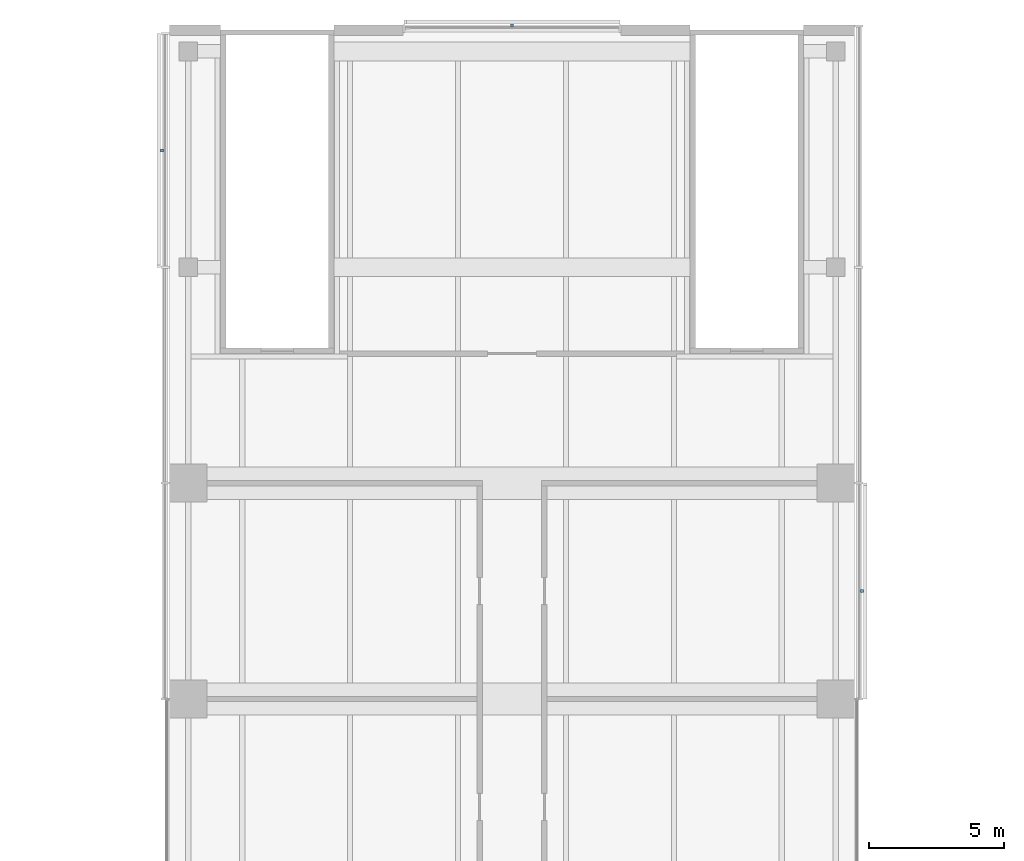
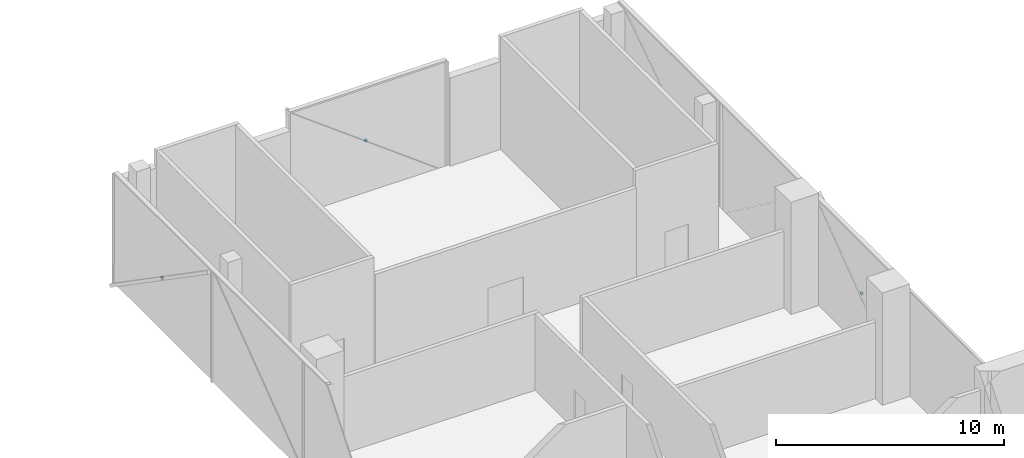
# One storey, part 22 of 23: 3 discrete accessories.
"""IFC4 building model written with IfcOpenShell, lengths in metres."""

from ifc_helpers import new_model, si_unit, direction, frame, origin, origin_2d, place, context, subcontext, project, spatial, rectangle, extrude, material, type_object, element, save


model = new_model("IFC4")

# Units and contexts
model_context = context("Model", 3, precision=1e-05, world=origin(), true_north=direction((0.0, 1.0)))
body_context = subcontext(model_context, "Body", "Model", "MODEL_VIEW")
ifc_project = project(units=[si_unit("LENGTHUNIT", "METRE"), si_unit("AREAUNIT", "SQUARE_METRE"), si_unit("VOLUMEUNIT", "CUBIC_METRE"), si_unit("PLANEANGLEUNIT", "RADIAN"), si_unit("MASSUNIT", "GRAM", prefix="KILO")], contexts=[model_context])

# Site, building, storey
site_placement = place(None, origin())
site = spatial("IfcSite", under=ifc_project, at=site_placement, CompositionType="ELEMENT")
building_placement = place(site_placement, origin())
building = spatial("IfcBuilding", under=site, at=building_placement, Name="Crosswind Convention Tower", CompositionType="ELEMENT")
storey_placement = place(building_placement, frame((0.0, 0.0, 41.5)))
storey = spatial("IfcBuildingStorey", under=building, at=storey_placement, Name="L05", CompositionType="ELEMENT", Elevation=41.5)

# Discrete accessories
ifc_material = material(Name="Stainless steel", Category="steel")
discrete_accessory_type = type_object("IfcDiscreteAccessoryType", Name="BAGUETTE BRACKET BK1", PredefinedType="BRACKET", material=ifc_material)
for number, where, z_axis, x_axis, name in (
    (1, (137.97412109375, 124.0, 2.5), (0.0, 0.0, 1.0), (0.0, 1.0, 0.0), "BK1 baguette bracket"),
    (2, (125.0, 144.97412109375, 2.5), (0.0, 0.0, 1.0), (-1.0, 0.0, 0.0), "BK1 baguette bracket"),
    (3, (112.02587890625, 140.330078125, 2.5), (0.0, 0.0, 1.0), (0.0, -1.0, 0.0), "BK1 baguette bracket"),
):
    element("IfcDiscreteAccessory", number, at=place(storey_placement, frame(where, z_axis=z_axis, x_axis=x_axis)), inside=storey, type_object=discrete_accessory_type, Name=name, PredefinedType="BRACKET", context=body_context, shape_type="SweptSolid", body=[
        extrude(rectangle(XDim=0.1201171875, YDim=0.10009765625, at=origin_2d()), origin(), (0.0, 0.0, 1.0), 0.1201171875),
    ])

save(model, "model.ifc")
